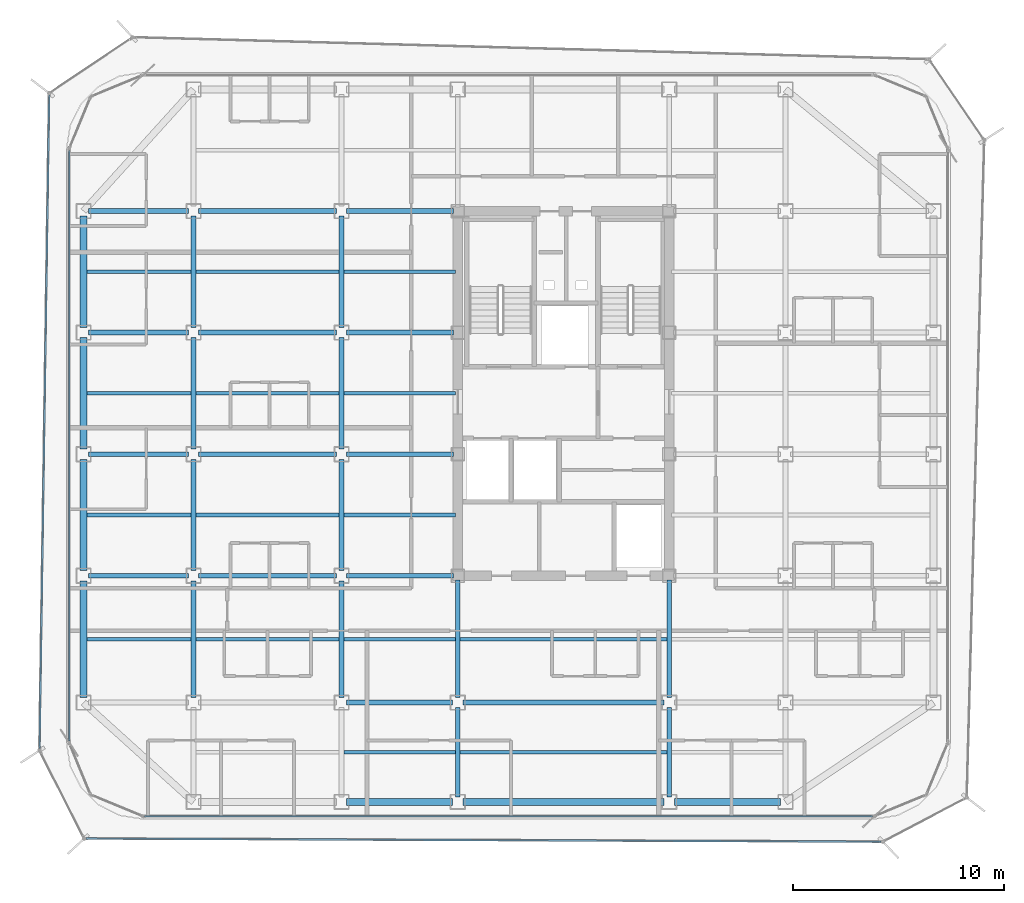
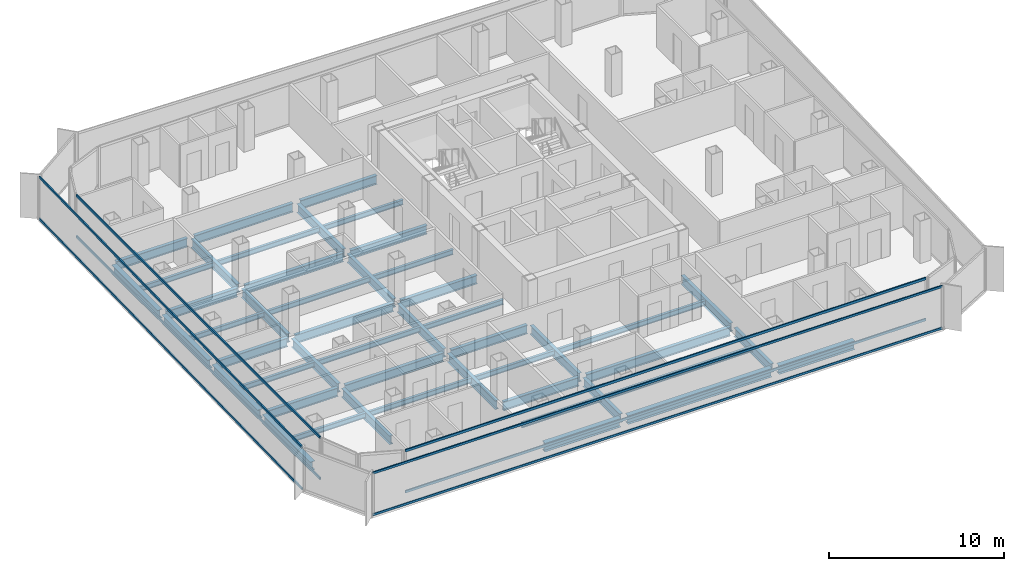
# One storey, part 3 of 16: 48 beams, 8 members, 4 elements without a shape of their own.
"""IFC4 building model written with IfcOpenShell, lengths in metres."""

from ifc_helpers import new_model, si_unit, direction, frame, origin, origin_2d, place, context, subcontext, project, spatial, hollow_rectangle, i_section, extrude, source, transform, mapped, material, layer, layer_set, material_profile, profile_set, type_object, element, aggregate, save


model = new_model("IFC4")

# Units and contexts
model_context = context("Model", 3, precision=1e-05, world=origin(), true_north=direction((0.0, 1.0)))
body_context = subcontext(model_context, "Body", "Model", "MODEL_VIEW")
ifc_project = project(units=[si_unit("LENGTHUNIT", "METRE"), si_unit("AREAUNIT", "SQUARE_METRE"), si_unit("VOLUMEUNIT", "CUBIC_METRE"), si_unit("PLANEANGLEUNIT", "RADIAN"), si_unit("MASSUNIT", "GRAM", prefix="KILO")], contexts=[model_context])

# Site, building, storey
site_placement = place(None, origin())
site = spatial("IfcSite", under=ifc_project, at=site_placement, CompositionType="ELEMENT")
building_placement = place(site_placement, origin())
building = spatial("IfcBuilding", under=site, at=building_placement, Name="Kolveth Station Tower", CompositionType="ELEMENT")
storey_placement = place(building_placement, frame((0.0, 0.0, 159.300048828125)))
storey = spatial("IfcBuildingStorey", under=building, at=storey_placement, Name="L44", CompositionType="ELEMENT", Elevation=159.300048828125)

# Beams
ifc_material_1 = material(Name="Steel S355", Category="steel")
ifc_material_profile_1 = material_profile(ifc_material_1, i_section(OverallWidth=0.323974609375, OverallDepth=0.611083984375, WebThickness=0.0126953125, FlangeThickness=0.01904296875, at=origin_2d()), Name="W610x155")
ifc_profile_set_1 = profile_set([ifc_material_profile_1], Name="Steel S355")
beam_type_1 = type_object("IfcBeamType", Name="Beam_SP2", PredefinedType="SPANDREL", material=ifc_profile_set_1)
shared_shape_1 = source(origin(), body_context, "Body", "SweptSolid", [
    extrude(i_section(OverallWidth=0.323974609375, OverallDepth=0.611083984375, WebThickness=0.0126953125, FlangeThickness=0.01904296875, at=origin_2d()), origin(), (0.0, 0.0, 1.0), 5.02001953125),
])
for number, where, z_axis, x_axis, name in (
    (1, (13.239990234375, 0.800048828125, -0.5556640625), (1.0, 0.0, 0.0), (0.0, 1.0, 0.0), "L44 Perimeter Spandrel BM-L44-PS-2"),
    (2, (28.739990234375, 0.800048828125, -0.5556640625), (1.0, 0.0, 0.0), (0.0, 1.0, 0.0), "L44 Perimeter Spandrel BM-L44-PS-4"),
):
    element("IfcBeam", number, at=place(storey_placement, frame(where, z_axis=z_axis, x_axis=x_axis)), inside=storey, type_object=beam_type_1, Name=name, PredefinedType="SPANDREL", context=body_context, shape_type="MappedRepresentation", body=[
        mapped(shared_shape_1, transform((0.0, 0.0, 0.0), x_axis=(1.0, 0.0, 0.0), y_axis=(0.0, 1.0, 0.0), z_axis=(0.0, 0.0, 1.0), scale=1.0)),
    ])
shared_shape_2 = source(origin(), body_context, "Body", "SweptSolid", [
    extrude(i_section(OverallWidth=0.323974609375, OverallDepth=0.611083984375, WebThickness=0.0126953125, FlangeThickness=0.01904296875, at=origin_2d()), origin(), (0.0, 0.0, 1.0), 9.52001953125),
])
beam_1_placement = place(storey_placement, frame((18.739990234375, 0.800048828125, -0.5556640625), z_axis=(1.0, 0.0, 0.0), x_axis=(0.0, 1.0, 0.0)))
element("IfcBeam", 3, at=beam_1_placement, inside=storey, type_object=beam_type_1, Name="L44 Perimeter Spandrel BM-L44-PS-3", PredefinedType="SPANDREL", context=body_context, shape_type="MappedRepresentation", body=[
    mapped(shared_shape_2, transform((0.0, 0.0, 0.0), x_axis=(1.0, 0.0, 0.0), y_axis=(0.0, 1.0, 0.0), z_axis=(0.0, 0.0, 1.0), scale=1.0)),
])
shared_shape_3 = source(origin(), body_context, "Body", "SweptSolid", [
    extrude(i_section(OverallWidth=0.323974609375, OverallDepth=0.611083984375, WebThickness=0.0126953125, FlangeThickness=0.01904296875, at=origin_2d()), origin(), (0.0, 0.0, 1.0), 5.52001953125),
])
beam_2_placement = place(storey_placement, frame((0.800048828125, 5.739990234375, -0.5556640625), z_axis=(0.0, 1.0, 0.0), x_axis=(-1.0, 0.0, 0.0)))
element("IfcBeam", 4, at=beam_2_placement, inside=storey, type_object=beam_type_1, Name="L44 Perimeter Spandrel BM-L44-PW-1", PredefinedType="SPANDREL", context=body_context, shape_type="MappedRepresentation", body=[
    mapped(shared_shape_3, transform((0.0, 0.0, 0.0), x_axis=(1.0, 0.0, 0.0), y_axis=(0.0, 1.0, 0.0), z_axis=(0.0, 0.0, 1.0), scale=1.0)),
])
shared_shape_4 = source(origin(), body_context, "Body", "SweptSolid", [
    extrude(i_section(OverallWidth=0.323974609375, OverallDepth=0.611083984375, WebThickness=0.0126953125, FlangeThickness=0.01904296875, at=origin_2d()), origin(), (0.0, 0.0, 1.0), 5.27001953125),
])
for number, where, z_axis, x_axis, name in (
    (5, (0.800048828125, 11.739990234375, -0.5556640625), (0.0, 1.0, 0.0), (-1.0, 0.0, 0.0), "L44 Perimeter Spandrel BM-L44-PW-2"),
    (6, (0.800048828125, 17.489990234375, -0.5556640625), (0.0, 1.0, 0.0), (-1.0, 0.0, 0.0), "L44 Perimeter Spandrel BM-L44-PW-3"),
    (7, (0.800048828125, 23.239990234375, -0.5556640625), (0.0, 1.0, 0.0), (-1.0, 0.0, 0.0), "L44 Perimeter Spandrel BM-L44-PW-4"),
):
    element("IfcBeam", number, at=place(storey_placement, frame(where, z_axis=z_axis, x_axis=x_axis)), inside=storey, type_object=beam_type_1, Name=name, PredefinedType="SPANDREL", context=body_context, shape_type="MappedRepresentation", body=[
        mapped(shared_shape_4, transform((0.0, 0.0, 0.0), x_axis=(1.0, 0.0, 0.0), y_axis=(0.0, 1.0, 0.0), z_axis=(0.0, 0.0, 1.0), scale=1.0)),
    ])
ifc_material_profile_2 = material_profile(ifc_material_1, i_section(OverallWidth=0.22900390625, OverallDepth=0.612060546875, WebThickness=0.011962890625, FlangeThickness=0.01953125, at=origin_2d()), Name="W610x125")
ifc_profile_set_2 = profile_set([ifc_material_profile_2], Name="Steel S355")
beam_type_2 = type_object("IfcBeamType", Name="Beam_B5", PredefinedType="BEAM", material=ifc_profile_set_2)
shared_shape_5 = source(origin(), body_context, "Body", "SweptSolid", [
    extrude(i_section(OverallWidth=0.22900390625, OverallDepth=0.612060546875, WebThickness=0.011962890625, FlangeThickness=0.01953125, at=origin_2d()), origin(), (0.0, 0.0, 1.0), 4.719970703125),
])
for number, where, z_axis, x_axis, name in (
    (8, (1.0400390625, 11.5, -0.55615234375), (1.0, 0.0, 0.0), (0.0, 1.0, 0.0), "L44 Primary Girder BM-L44-GY115-1"),
    (9, (1.0400390625, 17.25, -0.55615234375), (1.0, 0.0, 0.0), (0.0, 1.0, 0.0), "L44 Primary Girder BM-L44-GY172-1"),
    (10, (1.0400390625, 23.0, -0.55615234375), (1.0, 0.0, 0.0), (0.0, 1.0, 0.0), "L44 Primary Girder BM-L44-GY230-1"),
    (11, (1.0400390625, 28.75, -0.55615234375), (1.0, 0.0, 0.0), (0.0, 1.0, 0.0), "L44 Primary Girder BM-L44-GY287-1"),
):
    element("IfcBeam", number, at=place(storey_placement, frame(where, z_axis=z_axis, x_axis=x_axis)), inside=storey, type_object=beam_type_2, Name=name, PredefinedType="BEAM", context=body_context, shape_type="MappedRepresentation", body=[
        mapped(shared_shape_5, transform((0.0, 0.0, 0.0), x_axis=(1.0, 0.0, 0.0), y_axis=(0.0, 1.0, 0.0), z_axis=(0.0, 0.0, 1.0), scale=1.0)),
    ])
shared_shape_6 = source(origin(), body_context, "Body", "SweptSolid", [
    extrude(i_section(OverallWidth=0.22900390625, OverallDepth=0.612060546875, WebThickness=0.011962890625, FlangeThickness=0.01953125, at=origin_2d()), origin(), (0.0, 0.0, 1.0), 6.52001953125),
])
for number, where, z_axis, x_axis, name in (
    (12, (6.239990234375, 11.5, -0.55615234375), (1.0, 0.0, 0.0), (0.0, 1.0, 0.0), "L44 Primary Girder BM-L44-GY115-2"),
    (13, (6.239990234375, 17.25, -0.55615234375), (1.0, 0.0, 0.0), (0.0, 1.0, 0.0), "L44 Primary Girder BM-L44-GY172-2"),
    (14, (6.239990234375, 23.0, -0.55615234375), (1.0, 0.0, 0.0), (0.0, 1.0, 0.0), "L44 Primary Girder BM-L44-GY230-2"),
    (15, (6.239990234375, 28.75, -0.55615234375), (1.0, 0.0, 0.0), (0.0, 1.0, 0.0), "L44 Primary Girder BM-L44-GY287-2"),
):
    element("IfcBeam", number, at=place(storey_placement, frame(where, z_axis=z_axis, x_axis=x_axis)), inside=storey, type_object=beam_type_2, Name=name, PredefinedType="BEAM", context=body_context, shape_type="MappedRepresentation", body=[
        mapped(shared_shape_6, transform((0.0, 0.0, 0.0), x_axis=(1.0, 0.0, 0.0), y_axis=(0.0, 1.0, 0.0), z_axis=(0.0, 0.0, 1.0), scale=1.0)),
    ])
shared_shape_7 = source(origin(), body_context, "Body", "SweptSolid", [
    extrude(i_section(OverallWidth=0.22900390625, OverallDepth=0.612060546875, WebThickness=0.011962890625, FlangeThickness=0.01953125, at=origin_2d()), origin(), (0.0, 0.0, 1.0), 5.02001953125),
])
beam_3_placement = place(storey_placement, frame((13.239990234375, 5.5, -0.55615234375), z_axis=(1.0, 0.0, 0.0), x_axis=(0.0, 1.0, 0.0)))
element("IfcBeam", 16, at=beam_3_placement, inside=storey, type_object=beam_type_2, Name="L44 Primary Girder BM-L44-GY55-3", PredefinedType="BEAM", context=body_context, shape_type="MappedRepresentation", body=[
    mapped(shared_shape_7, transform((0.0, 0.0, 0.0), x_axis=(1.0, 0.0, 0.0), y_axis=(0.0, 1.0, 0.0), z_axis=(0.0, 0.0, 1.0), scale=1.0)),
])
shared_shape_8 = source(origin(), body_context, "Body", "SweptSolid", [
    extrude(i_section(OverallWidth=0.22900390625, OverallDepth=0.612060546875, WebThickness=0.011962890625, FlangeThickness=0.01953125, at=origin_2d()), origin(), (0.0, 0.0, 1.0), 9.52001953125),
])
beam_4_placement = place(storey_placement, frame((18.739990234375, 5.5, -0.55615234375), z_axis=(1.0, 0.0, 0.0), x_axis=(0.0, 1.0, 0.0)))
element("IfcBeam", 17, at=beam_4_placement, inside=storey, type_object=beam_type_2, Name="L44 Primary Girder BM-L44-GY55-4", PredefinedType="BEAM", context=body_context, shape_type="MappedRepresentation", body=[
    mapped(shared_shape_8, transform((0.0, 0.0, 0.0), x_axis=(1.0, 0.0, 0.0), y_axis=(0.0, 1.0, 0.0), z_axis=(0.0, 0.0, 1.0), scale=1.0)),
])
shared_shape_9 = source(origin(), body_context, "Body", "SweptSolid", [
    extrude(i_section(OverallWidth=0.22900390625, OverallDepth=0.612060546875, WebThickness=0.011962890625, FlangeThickness=0.01953125, at=origin_2d()), origin(), (0.0, 0.0, 1.0), 5.06005859375),
])
for number, where, z_axis, x_axis, name in (
    (18, (13.239990234375, 11.5, -0.55615234375), (1.0, 0.0, 0.0), (0.0, 1.0, 0.0), "L44 Primary Girder BM-L44-GY115-3"),
    (19, (13.239990234375, 17.25, -0.55615234375), (1.0, 0.0, 0.0), (0.0, 1.0, 0.0), "L44 Primary Girder BM-L44-GY172-3"),
    (20, (13.239990234375, 23.0, -0.55615234375), (1.0, 0.0, 0.0), (0.0, 1.0, 0.0), "L44 Primary Girder BM-L44-GY230-3"),
    (21, (13.239990234375, 28.75, -0.55615234375), (1.0, 0.0, 0.0), (0.0, 1.0, 0.0), "L44 Primary Girder BM-L44-GY287-3"),
):
    element("IfcBeam", number, at=place(storey_placement, frame(where, z_axis=z_axis, x_axis=x_axis)), inside=storey, type_object=beam_type_2, Name=name, PredefinedType="BEAM", context=body_context, shape_type="MappedRepresentation", body=[
        mapped(shared_shape_9, transform((0.0, 0.0, 0.0), x_axis=(1.0, 0.0, 0.0), y_axis=(0.0, 1.0, 0.0), z_axis=(0.0, 0.0, 1.0), scale=1.0)),
    ])
shared_shape_10 = source(origin(), body_context, "Body", "SweptSolid", [
    extrude(i_section(OverallWidth=0.22900390625, OverallDepth=0.612060546875, WebThickness=0.011962890625, FlangeThickness=0.01953125, at=origin_2d()), origin(), (0.0, 0.0, 1.0), 4.219970703125),
])
for number, where, z_axis, x_axis, name in (
    (22, (18.5, 1.0400390625, -0.55615234375), (0.0, 1.0, 0.0), (-1.0, 0.0, 0.0), "L44 Primary Girder BM-L44-GX185-1"),
    (23, (28.5, 1.0400390625, -0.55615234375), (0.0, 1.0, 0.0), (-1.0, 0.0, 0.0), "L44 Primary Girder BM-L44-GX285-1"),
):
    element("IfcBeam", number, at=place(storey_placement, frame(where, z_axis=z_axis, x_axis=x_axis)), inside=storey, type_object=beam_type_2, Name=name, PredefinedType="BEAM", context=body_context, shape_type="MappedRepresentation", body=[
        mapped(shared_shape_10, transform((0.0, 0.0, 0.0), x_axis=(1.0, 0.0, 0.0), y_axis=(0.0, 1.0, 0.0), z_axis=(0.0, 0.0, 1.0), scale=1.0)),
    ])
shared_shape_11 = source(origin(), body_context, "Body", "SweptSolid", [
    extrude(i_section(OverallWidth=0.22900390625, OverallDepth=0.612060546875, WebThickness=0.011962890625, FlangeThickness=0.01953125, at=origin_2d()), origin(), (0.0, 0.0, 1.0), 5.52001953125),
])
for number, where, z_axis, x_axis, name in (
    (24, (6.0, 5.739990234375, -0.55615234375), (0.0, 1.0, 0.0), (-1.0, 0.0, 0.0), "L44 Primary Girder BM-L44-GX60-2"),
    (25, (13.0, 5.739990234375, -0.55615234375), (0.0, 1.0, 0.0), (-1.0, 0.0, 0.0), "L44 Primary Girder BM-L44-GX130-2"),
):
    element("IfcBeam", number, at=place(storey_placement, frame(where, z_axis=z_axis, x_axis=x_axis)), inside=storey, type_object=beam_type_2, Name=name, PredefinedType="BEAM", context=body_context, shape_type="MappedRepresentation", body=[
        mapped(shared_shape_11, transform((0.0, 0.0, 0.0), x_axis=(1.0, 0.0, 0.0), y_axis=(0.0, 1.0, 0.0), z_axis=(0.0, 0.0, 1.0), scale=1.0)),
    ])
shared_shape_12 = source(origin(), body_context, "Body", "SweptSolid", [
    extrude(i_section(OverallWidth=0.22900390625, OverallDepth=0.612060546875, WebThickness=0.011962890625, FlangeThickness=0.01953125, at=origin_2d()), origin(), (0.0, 0.0, 1.0), 5.27001953125),
])
for number, where, z_axis, x_axis, name in (
    (26, (6.0, 11.739990234375, -0.55615234375), (0.0, 1.0, 0.0), (-1.0, 0.0, 0.0), "L44 Primary Girder BM-L44-GX60-3"),
    (27, (6.0, 17.489990234375, -0.55615234375), (0.0, 1.0, 0.0), (-1.0, 0.0, 0.0), "L44 Primary Girder BM-L44-GX60-4"),
    (28, (6.0, 23.239990234375, -0.55615234375), (0.0, 1.0, 0.0), (-1.0, 0.0, 0.0), "L44 Primary Girder BM-L44-GX60-5"),
    (29, (13.0, 11.739990234375, -0.55615234375), (0.0, 1.0, 0.0), (-1.0, 0.0, 0.0), "L44 Primary Girder BM-L44-GX130-3"),
    (30, (13.0, 17.489990234375, -0.55615234375), (0.0, 1.0, 0.0), (-1.0, 0.0, 0.0), "L44 Primary Girder BM-L44-GX130-4"),
    (31, (13.0, 23.239990234375, -0.55615234375), (0.0, 1.0, 0.0), (-1.0, 0.0, 0.0), "L44 Primary Girder BM-L44-GX130-5"),
):
    element("IfcBeam", number, at=place(storey_placement, frame(where, z_axis=z_axis, x_axis=x_axis)), inside=storey, type_object=beam_type_2, Name=name, PredefinedType="BEAM", context=body_context, shape_type="MappedRepresentation", body=[
        mapped(shared_shape_12, transform((0.0, 0.0, 0.0), x_axis=(1.0, 0.0, 0.0), y_axis=(0.0, 1.0, 0.0), z_axis=(0.0, 0.0, 1.0), scale=1.0)),
    ])
shared_shape_13 = source(origin(), body_context, "Body", "SweptSolid", [
    extrude(i_section(OverallWidth=0.22900390625, OverallDepth=0.612060546875, WebThickness=0.011962890625, FlangeThickness=0.01953125, at=origin_2d()), origin(), (0.0, 0.0, 1.0), 5.56005859375),
])
for number, where, z_axis, x_axis, name in (
    (32, (18.5, 5.739990234375, -0.55615234375), (0.0, 1.0, 0.0), (-1.0, 0.0, 0.0), "L44 Primary Girder BM-L44-GX185-2"),
    (33, (28.5, 5.739990234375, -0.55615234375), (0.0, 1.0, 0.0), (-1.0, 0.0, 0.0), "L44 Primary Girder BM-L44-GX285-2"),
):
    element("IfcBeam", number, at=place(storey_placement, frame(where, z_axis=z_axis, x_axis=x_axis)), inside=storey, type_object=beam_type_2, Name=name, PredefinedType="BEAM", context=body_context, shape_type="MappedRepresentation", body=[
        mapped(shared_shape_13, transform((0.0, 0.0, 0.0), x_axis=(1.0, 0.0, 0.0), y_axis=(0.0, 1.0, 0.0), z_axis=(0.0, 0.0, 1.0), scale=1.0)),
    ])
ifc_material_profile_3 = material_profile(ifc_material_1, i_section(OverallWidth=0.1708984375, OverallDepth=0.35205078125, WebThickness=0.0068359375, FlangeThickness=0.009765625, at=origin_2d()), Name="W360x44")
ifc_profile_set_3 = profile_set([ifc_material_profile_3], Name="Steel S355")
beam_type_3 = type_object("IfcBeamType", Name="Beam_J2", PredefinedType="JOIST", material=ifc_profile_set_3)
shared_shape_14 = source(origin(), body_context, "Body", "SweptSolid", [
    extrude(i_section(OverallWidth=0.1708984375, OverallDepth=0.35205078125, WebThickness=0.0068359375, FlangeThickness=0.009765625, at=origin_2d()), origin(), (0.0, 0.0, 1.0), 4.927490234375),
])
for number, where, z_axis, x_axis, name in (
    (34, (0.9599609375, 8.5, -0.426025390625), (1.0, 0.0, 0.0), (0.0, 1.0, 0.0), "L44 Secondary Joist JST-L44-1-2"),
    (35, (0.9599609375, 14.375, -0.426025390625), (1.0, 0.0, 0.0), (0.0, 1.0, 0.0), "L44 Secondary Joist JST-L44-1-3"),
    (36, (0.9599609375, 20.125, -0.426025390625), (1.0, 0.0, 0.0), (0.0, 1.0, 0.0), "L44 Secondary Joist JST-L44-1-4"),
    (37, (0.9599609375, 25.875, -0.426025390625), (1.0, 0.0, 0.0), (0.0, 1.0, 0.0), "L44 Secondary Joist JST-L44-1-5"),
):
    element("IfcBeam", number, at=place(storey_placement, frame(where, z_axis=z_axis, x_axis=x_axis)), inside=storey, type_object=beam_type_3, Name=name, PredefinedType="JOIST", context=body_context, shape_type="MappedRepresentation", body=[
        mapped(shared_shape_14, transform((0.0, 0.0, 0.0), x_axis=(1.0, 0.0, 0.0), y_axis=(0.0, 1.0, 0.0), z_axis=(0.0, 0.0, 1.0), scale=1.0)),
    ])
shared_shape_15 = source(origin(), body_context, "Body", "SweptSolid", [
    extrude(i_section(OverallWidth=0.1708984375, OverallDepth=0.35205078125, WebThickness=0.0068359375, FlangeThickness=0.009765625, at=origin_2d()), origin(), (0.0, 0.0, 1.0), 6.77490234375),
])
for number, where, z_axis, x_axis, name in (
    (38, (6.112548828125, 8.5, -0.426025390625), (1.0, 0.0, 0.0), (0.0, 1.0, 0.0), "L44 Secondary Joist JST-L44-2-2"),
    (39, (6.112548828125, 14.375, -0.426025390625), (1.0, 0.0, 0.0), (0.0, 1.0, 0.0), "L44 Secondary Joist JST-L44-2-3"),
    (40, (6.112548828125, 20.125, -0.426025390625), (1.0, 0.0, 0.0), (0.0, 1.0, 0.0), "L44 Secondary Joist JST-L44-2-4"),
    (41, (6.112548828125, 25.875, -0.426025390625), (1.0, 0.0, 0.0), (0.0, 1.0, 0.0), "L44 Secondary Joist JST-L44-2-5"),
):
    element("IfcBeam", number, at=place(storey_placement, frame(where, z_axis=z_axis, x_axis=x_axis)), inside=storey, type_object=beam_type_3, Name=name, PredefinedType="JOIST", context=body_context, shape_type="MappedRepresentation", body=[
        mapped(shared_shape_15, transform((0.0, 0.0, 0.0), x_axis=(1.0, 0.0, 0.0), y_axis=(0.0, 1.0, 0.0), z_axis=(0.0, 0.0, 1.0), scale=1.0)),
    ])
shared_shape_16 = source(origin(), body_context, "Body", "SweptSolid", [
    extrude(i_section(OverallWidth=0.1708984375, OverallDepth=0.35205078125, WebThickness=0.0068359375, FlangeThickness=0.009765625, at=origin_2d()), origin(), (0.0, 0.0, 1.0), 5.27490234375),
])
for number, where, z_axis, x_axis, name in (
    (42, (13.112548828125, 3.14990234375, -0.426025390625), (1.0, 0.0, 0.0), (0.0, 1.0, 0.0), "L44 Secondary Joist JST-L44-3-1"),
    (43, (13.112548828125, 8.5, -0.426025390625), (1.0, 0.0, 0.0), (0.0, 1.0, 0.0), "L44 Secondary Joist JST-L44-3-2"),
    (44, (13.112548828125, 14.375, -0.426025390625), (1.0, 0.0, 0.0), (0.0, 1.0, 0.0), "L44 Secondary Joist JST-L44-3-3"),
    (45, (13.112548828125, 20.125, -0.426025390625), (1.0, 0.0, 0.0), (0.0, 1.0, 0.0), "L44 Secondary Joist JST-L44-3-4"),
    (46, (13.112548828125, 25.875, -0.426025390625), (1.0, 0.0, 0.0), (0.0, 1.0, 0.0), "L44 Secondary Joist JST-L44-3-5"),
):
    element("IfcBeam", number, at=place(storey_placement, frame(where, z_axis=z_axis, x_axis=x_axis)), inside=storey, type_object=beam_type_3, Name=name, PredefinedType="JOIST", context=body_context, shape_type="MappedRepresentation", body=[
        mapped(shared_shape_16, transform((0.0, 0.0, 0.0), x_axis=(1.0, 0.0, 0.0), y_axis=(0.0, 1.0, 0.0), z_axis=(0.0, 0.0, 1.0), scale=1.0)),
    ])
shared_shape_17 = source(origin(), body_context, "Body", "SweptSolid", [
    extrude(i_section(OverallWidth=0.1708984375, OverallDepth=0.35205078125, WebThickness=0.0068359375, FlangeThickness=0.009765625, at=origin_2d()), origin(), (0.0, 0.0, 1.0), 9.77490234375),
])
for number, where, z_axis, x_axis, name in (
    (47, (18.612548828125, 3.14990234375, -0.426025390625), (1.0, 0.0, 0.0), (0.0, 1.0, 0.0), "L44 Secondary Joist JST-L44-4-1"),
    (48, (18.612548828125, 8.5, -0.426025390625), (1.0, 0.0, 0.0), (0.0, 1.0, 0.0), "L44 Secondary Joist JST-L44-4-2"),
):
    element("IfcBeam", number, at=place(storey_placement, frame(where, z_axis=z_axis, x_axis=x_axis)), inside=storey, type_object=beam_type_3, Name=name, PredefinedType="JOIST", context=body_context, shape_type="MappedRepresentation", body=[
        mapped(shared_shape_17, transform((0.0, 0.0, 0.0), x_axis=(1.0, 0.0, 0.0), y_axis=(0.0, 1.0, 0.0), z_axis=(0.0, 0.0, 1.0), scale=1.0)),
    ])

# Curtain wall, members
ifc_material_2 = material(Name="Aluminium 6063-T6 and low-E dark glass", Category="aluminium")
ifc_layer_1 = layer(ifc_material_2, 0.18994140625)
ifc_layer_set_1 = layer_set([ifc_layer_1], Name="Aluminium 6063-T6 and low-E dark glass")
curtain_wall_type_1 = type_object("IfcCurtainWallType", Name="CurtainWall_CW-Z2", PredefinedType="NOTDEFINED", material=ifc_layer_set_1)
curtain_wall_1_placement = place(storey_placement, origin())
curtain_wall_1 = element("IfcCurtainWall", 49, at=curtain_wall_1_placement, inside=storey, type_object=curtain_wall_type_1, Name="L44 Inner Thermal Curtain Wall 9", PredefinedType="NOTDEFINED")
ifc_material_3 = material(Name="Black anodized aluminium 6063-T6", Category="aluminium")
ifc_material_profile_4 = material_profile(ifc_material_3, hollow_rectangle(XDim=0.080078125, YDim=0.169921875, WallThickness=0.0048828125, at=origin_2d()), Name="ALU-80x170x5")
ifc_profile_set_4 = profile_set([ifc_material_profile_4], Name="Black anodized aluminium 6063-T6")
member_type_1 = type_object("IfcMemberType", Name="Transom_TR2", PredefinedType="USERDEFINED", material=ifc_profile_set_4)
shared_shape_18 = source(origin(), body_context, "Body", "SweptSolid", [
    extrude(hollow_rectangle(XDim=0.080078125, YDim=0.169921875, WallThickness=0.0048828125, at=origin_2d()), origin(), (0.0, 0.0, 1.0), 27.940185546875),
])
member_1_placement = place(storey_placement, frame((0.1201171875, 31.6201171875, 0.0400390625), z_axis=(0.0, -1.0, 0.0), x_axis=(1.0, 0.0, 0.0)))
member_1 = element("IfcMember", 50, at=member_1_placement, type_object=member_type_1, Name="CW-Z2 transom 1.1", ObjectType="TRANSOM", PredefinedType="USERDEFINED", context=body_context, shape_type="MappedRepresentation", body=[
    mapped(shared_shape_18, transform((0.0, 0.0, 0.0), x_axis=(1.0, 0.0, 0.0), y_axis=(0.0, 1.0, 0.0), z_axis=(0.0, 0.0, 1.0), scale=1.0)),
])
member_2_placement = place(storey_placement, frame((0.1201171875, 31.6201171875, 2.909912109375), z_axis=(0.0, -1.0, 0.0), x_axis=(1.0, 0.0, 0.0)))
member_2 = element("IfcMember", 51, at=member_2_placement, type_object=member_type_1, Name="CW-Z2 transom 1.2", ObjectType="TRANSOM", PredefinedType="USERDEFINED", context=body_context, shape_type="MappedRepresentation", body=[
    mapped(shared_shape_18, transform((0.0, 0.0, 0.0), x_axis=(1.0, 0.0, 0.0), y_axis=(0.0, 1.0, 0.0), z_axis=(0.0, 0.0, 1.0), scale=1.0)),
])
aggregate(curtain_wall_1, [member_1, member_2])

curtain_wall_2_placement = place(storey_placement, origin())
curtain_wall_2 = element("IfcCurtainWall", 52, at=curtain_wall_2_placement, inside=storey, type_object=curtain_wall_type_1, Name="L44 Inner Thermal Curtain Wall 12", PredefinedType="NOTDEFINED")
shared_shape_19 = source(origin(), body_context, "Body", "SweptSolid", [
    extrude(hollow_rectangle(XDim=0.080078125, YDim=0.169921875, WallThickness=0.0048828125, at=origin_2d()), origin(), (0.0, 0.0, 1.0), 34.440185546875),
])
member_3_placement = place(storey_placement, frame((3.679931640625, 0.1201171875, 0.0400390625), z_axis=(1.0, 0.0, 0.0), x_axis=(0.0, 1.0, 0.0)))
member_3 = element("IfcMember", 53, at=member_3_placement, type_object=member_type_1, Name="CW-Z2 transom 1.1", ObjectType="TRANSOM", PredefinedType="USERDEFINED", context=body_context, shape_type="MappedRepresentation", body=[
    mapped(shared_shape_19, transform((0.0, 0.0, 0.0), x_axis=(1.0, 0.0, 0.0), y_axis=(0.0, 1.0, 0.0), z_axis=(0.0, 0.0, 1.0), scale=1.0)),
])
member_4_placement = place(storey_placement, frame((3.679931640625, 0.1201171875, 2.909912109375), z_axis=(1.0, 0.0, 0.0), x_axis=(0.0, 1.0, 0.0)))
member_4 = element("IfcMember", 54, at=member_4_placement, type_object=member_type_1, Name="CW-Z2 transom 1.2", ObjectType="TRANSOM", PredefinedType="USERDEFINED", context=body_context, shape_type="MappedRepresentation", body=[
    mapped(shared_shape_19, transform((0.0, 0.0, 0.0), x_axis=(1.0, 0.0, 0.0), y_axis=(0.0, 1.0, 0.0), z_axis=(0.0, 0.0, 1.0), scale=1.0)),
])
aggregate(curtain_wall_2, [member_3, member_4])

ifc_material_4 = material(Name="Black anodized aluminium 6063-T6 and dark solar glass", Category="aluminium")
ifc_layer_2 = layer(ifc_material_4, 0.159912109375)
ifc_layer_set_2 = layer_set([ifc_layer_2], Name="Black anodized aluminium 6063-T6 and dark solar glass")
curtain_wall_type_2 = type_object("IfcCurtainWallType", Name="OUTER SKIN CW-OS", PredefinedType="NOTDEFINED", material=ifc_layer_set_2)
curtain_wall_3_placement = place(storey_placement, origin())
curtain_wall_3 = element("IfcCurtainWall", 55, at=curtain_wall_3_placement, inside=storey, type_object=curtain_wall_type_2, Name="L44 Outer Ventilated Skin Curtain Wall 6", PredefinedType="NOTDEFINED")
ifc_material_profile_5 = material_profile(ifc_material_3, hollow_rectangle(XDim=0.080078125, YDim=0.14990234375, WallThickness=0.0048828125, at=origin_2d()), Name="ALU-80x150x5")
ifc_profile_set_5 = profile_set([ifc_material_profile_5], Name="Black anodized aluminium 6063-T6")
member_type_2 = type_object("IfcMemberType", Name="Transom_TR-OS", PredefinedType="USERDEFINED", material=ifc_profile_set_5)
shared_shape_20 = source(origin(), body_context, "Body", "SweptSolid", [
    extrude(hollow_rectangle(XDim=0.080078125, YDim=0.14990234375, WallThickness=0.0048828125, at=origin_2d()), origin(), (0.0, 0.0, 1.0), 30.91015625),
])
member_5_placement = place(storey_placement, frame((-0.826171875, 34.232421875, 0.0400390625), z_axis=(-0.014714743963, -0.999891732294, 0.0), x_axis=(0.999891732294, -0.014714743963, 0.0)))
member_5 = element("IfcMember", 56, at=member_5_placement, type_object=member_type_2, Name="CW-OS transom 1.1", ObjectType="TRANSOM", PredefinedType="USERDEFINED", context=body_context, shape_type="MappedRepresentation", body=[
    mapped(shared_shape_20, transform((0.0, 0.0, 0.0), x_axis=(1.0, 0.0, 0.0), y_axis=(0.0, 1.0, 0.0), z_axis=(0.0, 0.0, 1.0), scale=1.0)),
])
member_6_placement = place(storey_placement, frame((-0.826171875, 34.232421875, 2.949951171875), z_axis=(-0.014714743963, -0.999891732294, 0.0), x_axis=(0.999891732294, -0.014714743963, 0.0)))
member_6 = element("IfcMember", 57, at=member_6_placement, type_object=member_type_2, Name="CW-OS transom 1.2", ObjectType="TRANSOM", PredefinedType="USERDEFINED", context=body_context, shape_type="MappedRepresentation", body=[
    mapped(shared_shape_20, transform((0.0, 0.0, 0.0), x_axis=(1.0, 0.0, 0.0), y_axis=(0.0, 1.0, 0.0), z_axis=(0.0, 0.0, 1.0), scale=1.0)),
])
aggregate(curtain_wall_3, [member_5, member_6])

curtain_wall_4_placement = place(storey_placement, origin())
curtain_wall_4 = element("IfcCurtainWall", 58, at=curtain_wall_4_placement, inside=storey, type_object=curtain_wall_type_2, Name="L44 Outer Ventilated Skin Curtain Wall 8", PredefinedType="NOTDEFINED")
shared_shape_21 = source(origin(), body_context, "Body", "SweptSolid", [
    extrude(hollow_rectangle(XDim=0.080078125, YDim=0.14990234375, WallThickness=0.0048828125, at=origin_2d()), origin(), (0.0, 0.0, 1.0), 37.59765625),
])
member_7_placement = place(storey_placement, frame((0.9208984375, -0.930419921875, 0.0400390625), z_axis=(0.999991973997, -0.004006487367, 0.0), x_axis=(0.004006487367, 0.999991973997, 0.0)))
member_7 = element("IfcMember", 59, at=member_7_placement, type_object=member_type_2, Name="CW-OS transom 1.1", ObjectType="TRANSOM", PredefinedType="USERDEFINED", context=body_context, shape_type="MappedRepresentation", body=[
    mapped(shared_shape_21, transform((0.0, 0.0, 0.0), x_axis=(1.0, 0.0, 0.0), y_axis=(0.0, 1.0, 0.0), z_axis=(0.0, 0.0, 1.0), scale=1.0)),
])
member_8_placement = place(storey_placement, frame((0.9208984375, -0.930419921875, 2.949951171875), z_axis=(0.999991973997, -0.004006487367, 0.0), x_axis=(0.004006487367, 0.999991973997, 0.0)))
member_8 = element("IfcMember", 60, at=member_8_placement, type_object=member_type_2, Name="CW-OS transom 1.2", ObjectType="TRANSOM", PredefinedType="USERDEFINED", context=body_context, shape_type="MappedRepresentation", body=[
    mapped(shared_shape_21, transform((0.0, 0.0, 0.0), x_axis=(1.0, 0.0, 0.0), y_axis=(0.0, 1.0, 0.0), z_axis=(0.0, 0.0, 1.0), scale=1.0)),
])
aggregate(curtain_wall_4, [member_7, member_8])

save(model, "model.ifc")
